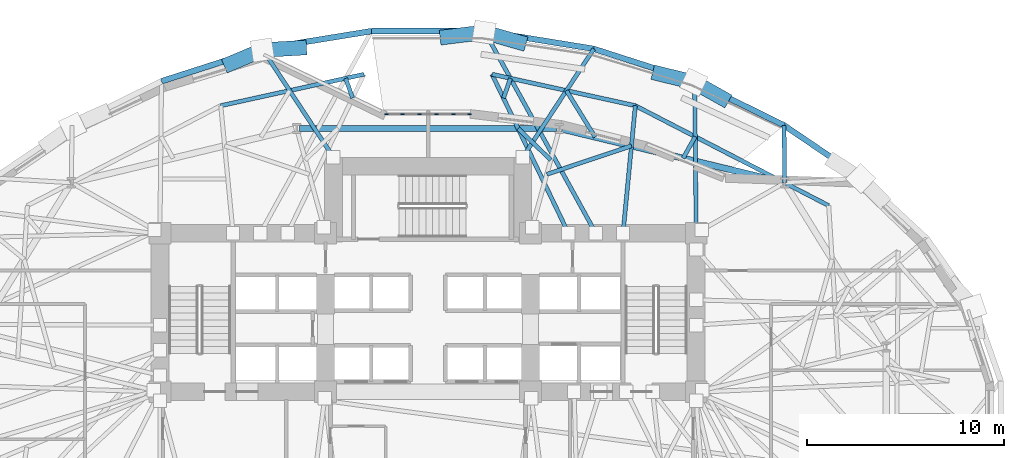
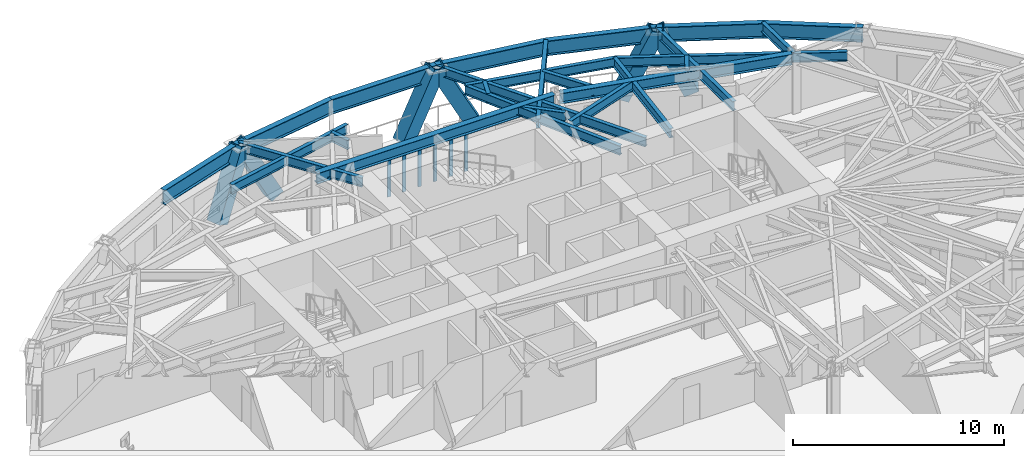
# One storey, part 5 of 15: 25 beams, 12 members, 1 element without a shape of its own.
"""IFC4 building model written with IfcOpenShell, lengths in metres."""

from ifc_helpers import new_model, si_unit, direction, frame, origin, origin_2d, place, context, subcontext, project, spatial, rectangle, hollow_rectangle, i_section, extrude, material, layer, layer_set, material_profile, profile_set, type_object, element, aggregate, save


model = new_model("IFC4")

# Units and contexts
model_context = context("Model", 3, precision=1e-05, world=origin(), true_north=direction((0.0, 1.0)))
body_context = subcontext(model_context, "Body", "Model", "MODEL_VIEW")
ifc_project = project(units=[si_unit("LENGTHUNIT", "METRE"), si_unit("AREAUNIT", "SQUARE_METRE"), si_unit("VOLUMEUNIT", "CUBIC_METRE"), si_unit("PLANEANGLEUNIT", "RADIAN"), si_unit("MASSUNIT", "GRAM", prefix="KILO")], contexts=[model_context])

# Site, building, storey
site_placement = place(None, origin())
site = spatial("IfcSite", under=ifc_project, at=site_placement, CompositionType="ELEMENT")
building_placement = place(site_placement, origin())
building = spatial("IfcBuilding", under=site, at=building_placement, Name="Keldmark Tower", CompositionType="ELEMENT")
storey_placement = place(building_placement, frame((0.0, 0.0, 55.800048828125)))
storey = spatial("IfcBuildingStorey", under=building, at=storey_placement, Name="L14", CompositionType="ELEMENT", Elevation=55.800048828125)

# Curtain wall, members
ifc_material_1 = material(Name="Unitized Thermally Broken Aluminum and Triple Low-E Glazing", Category="aluminium")
ifc_layer = layer(ifc_material_1, 0.219970703125)
ifc_layer_set = layer_set([ifc_layer], Name="Unitized Thermally Broken Aluminum and Triple Low-E Glazing")
curtain_wall_type = type_object("IfcCurtainWallType", Name="Spiralling Sky-Garden Feature Curtain Wall System", PredefinedType="NOTDEFINED", material=ifc_layer_set)
curtain_wall_placement = place(storey_placement, origin())
curtain_wall = element("IfcCurtainWall", 1, at=curtain_wall_placement, inside=storey, type_object=curtain_wall_type, Name="L14 Spiralling Sky-Garden Feature Curtain Wall System CW-L14-08", PredefinedType="NOTDEFINED")
ifc_material_2 = material(Name="Extruded Aluminum Alloy 6063-T6", Category="aluminium")
ifc_material_profile_1 = material_profile(ifc_material_2, rectangle(XDim=0.06005859375, YDim=0.179931640625, at=origin_2d()), Name="CWM60X180")
ifc_profile_set_1 = profile_set([ifc_material_profile_1], Name="Extruded Aluminum Alloy 6063-T6")
member_type_1 = type_object("IfcMemberType", Name="Curtain Wall Structural Mullion 60x180", PredefinedType="MULLION", material=ifc_profile_set_1)
member_1_placement = place(storey_placement, frame((-2.111572265625, 15.484375, 0.0), z_axis=(0.0, 0.0, 1.0), x_axis=(0.0, 1.0, 0.0)))
member_1 = element("IfcMember", 2, at=member_1_placement, type_object=member_type_1, Name="CW mullion 1", PredefinedType="MULLION", context=body_context, shape_type="SweptSolid", body=[
    extrude(rectangle(XDim=0.06005859375, YDim=0.179931640625, at=origin_2d()), origin(), (0.0, 0.0, 1.0), 2.529052734375),
])
member_2_placement = place(storey_placement, frame((-1.284912109375, 15.484375, 0.0), z_axis=(0.0, 0.0, 1.0), x_axis=(0.0, 1.0, 0.0)))
member_2 = element("IfcMember", 3, at=member_2_placement, type_object=member_type_1, Name="CW mullion 2", PredefinedType="MULLION", context=body_context, shape_type="SweptSolid", body=[
    extrude(rectangle(XDim=0.06005859375, YDim=0.179931640625, at=origin_2d()), origin(), (0.0, 0.0, 1.0), 2.529052734375),
])
member_3_placement = place(storey_placement, frame((-0.42822265625, 15.484375, 0.0), z_axis=(0.0, 0.0, 1.0), x_axis=(0.0, 1.0, 0.0)))
member_3 = element("IfcMember", 4, at=member_3_placement, type_object=member_type_1, Name="CW mullion 3", PredefinedType="MULLION", context=body_context, shape_type="SweptSolid", body=[
    extrude(rectangle(XDim=0.06005859375, YDim=0.179931640625, at=origin_2d()), origin(), (0.0, 0.0, 1.0), 2.529052734375),
])
member_4_placement = place(storey_placement, frame((0.42822265625, 15.484375, 0.0), z_axis=(0.0, 0.0, 1.0), x_axis=(0.0, 1.0, 0.0)))
member_4 = element("IfcMember", 5, at=member_4_placement, type_object=member_type_1, Name="CW mullion 4", PredefinedType="MULLION", context=body_context, shape_type="SweptSolid", body=[
    extrude(rectangle(XDim=0.06005859375, YDim=0.179931640625, at=origin_2d()), origin(), (0.0, 0.0, 1.0), 2.529052734375),
])
member_5_placement = place(storey_placement, frame((1.284912109375, 15.484375, 0.0), z_axis=(0.0, 0.0, 1.0), x_axis=(0.0, 1.0, 0.0)))
member_5 = element("IfcMember", 6, at=member_5_placement, type_object=member_type_1, Name="CW mullion 5", PredefinedType="MULLION", context=body_context, shape_type="SweptSolid", body=[
    extrude(rectangle(XDim=0.06005859375, YDim=0.179931640625, at=origin_2d()), origin(), (0.0, 0.0, 1.0), 2.529052734375),
])
member_6_placement = place(storey_placement, frame((2.111572265625, 15.484375, 0.0), z_axis=(0.0, 0.0, 1.0), x_axis=(0.0, 1.0, 0.0)))
member_6 = element("IfcMember", 7, at=member_6_placement, type_object=member_type_1, Name="CW mullion 6", PredefinedType="MULLION", context=body_context, shape_type="SweptSolid", body=[
    extrude(rectangle(XDim=0.06005859375, YDim=0.179931640625, at=origin_2d()), origin(), (0.0, 0.0, 1.0), 2.529052734375),
])
aggregate(curtain_wall, [member_1, member_2, member_3, member_4, member_5, member_6])

# Members
ifc_material_3 = material(Name="Steel ASTM A572 Grade 50", Category="steel")
ifc_material_profile_2 = material_profile(ifc_material_3, hollow_rectangle(XDim=0.75, YDim=0.75, WallThickness=0.06494140625, at=origin_2d()), Name="BOX750X750X65")
ifc_profile_set_2 = profile_set([ifc_material_profile_2], Name="Steel ASTM A572 Grade 50")
member_type_2 = type_object("IfcMemberType", Name="Diagrid Lower Brace BOX750X750X65", PredefinedType="BRACE", material=ifc_profile_set_2)
member_7_placement = place(storey_placement, frame((14.942138671875, 16.29541015625, -0.280029296875), z_axis=(-0.370214781485, 0.206813491419, 0.905631931491), x_axis=(-0.487693337516, -0.873015010491, 0.0)))
element("IfcMember", 8, at=member_7_placement, inside=storey, type_object=member_type_2, Name="L14 Perimeter Diagrid Brace 03A", PredefinedType="BRACE", context=body_context, shape_type="SweptSolid", body=[
    extrude(hollow_rectangle(XDim=0.75, YDim=0.75, WallThickness=0.06494140625, at=origin_2d()), origin(), (0.0, 0.0, 1.0), 3.930908203125),
])
member_8_placement = place(storey_placement, frame((11.72216796875, 17.535400390625, -0.280029296875), z_axis=(0.443457115847, -0.108362663421, 0.889720922301), x_axis=(0.237374614555, 0.971418186141, 0.0)))
element("IfcMember", 9, at=member_8_placement, inside=storey, type_object=member_type_2, Name="L14 Perimeter Diagrid Brace 03B", PredefinedType="BRACE", context=body_context, shape_type="SweptSolid", body=[
    extrude(hollow_rectangle(XDim=0.75, YDim=0.75, WallThickness=0.06494140625, at=origin_2d()), origin(), (0.0, 0.0, 1.0), 4.001220703125),
])
member_9_placement = place(storey_placement, frame((4.646728515625, 19.129150390625, -0.280029296875), z_axis=(-0.447965706139, 0.127678115107, 0.884887012588), x_axis=(-0.274101643259, -0.961700727442, 0.0)))
element("IfcMember", 10, at=member_9_placement, inside=storey, type_object=member_type_2, Name="L14 Perimeter Diagrid Brace 04A", PredefinedType="BRACE", context=body_context, shape_type="SweptSolid", body=[
    extrude(hollow_rectangle(XDim=0.75, YDim=0.75, WallThickness=0.06494140625, at=origin_2d()), origin(), (0.0, 0.0, 1.0), 4.023193359375),
])
member_10_placement = place(storey_placement, frame((0.936767578125, 19.4052734375, -0.280029296875), z_axis=(0.473775123484, 0.058031727794, 0.87873172865), x_axis=(-0.121579267567, 0.99258172545, 0.0)))
element("IfcMember", 11, at=member_10_placement, inside=storey, type_object=member_type_2, Name="L14 Perimeter Diagrid Brace 04B", PredefinedType="BRACE", context=body_context, shape_type="SweptSolid", body=[
    extrude(hollow_rectangle(XDim=0.75, YDim=0.75, WallThickness=0.06494140625, at=origin_2d()), origin(), (0.0, 0.0, 1.0), 4.05126953125),
])
member_11_placement = place(storey_placement, frame((-6.494384765625, 18.8486328125, -0.280029296875), z_axis=(-0.472761605962, -0.02712021989, 0.880772931919), x_axis=(0.057271372546, -0.998358647925, 0.0)))
element("IfcMember", 12, at=member_11_placement, inside=storey, type_object=member_type_2, Name="L14 Perimeter Diagrid Brace 05A", PredefinedType="BRACE", context=body_context, shape_type="SweptSolid", body=[
    extrude(hollow_rectangle(XDim=0.75, YDim=0.75, WallThickness=0.06494140625, at=origin_2d()), origin(), (0.0, 0.0, 1.0), 4.0419921875),
])
member_12_placement = place(storey_placement, frame((-10.026123046875, 18.052001953125, -0.280029296875), z_axis=(0.410480286858, 0.173315263207, 0.895247314233), x_axis=(-0.388974635717, 0.921248464188, 0.0)))
element("IfcMember", 13, at=member_12_placement, inside=storey, type_object=member_type_2, Name="L14 Perimeter Diagrid Brace 05B", PredefinedType="BRACE", context=body_context, shape_type="SweptSolid", body=[
    extrude(hollow_rectangle(XDim=0.75, YDim=0.75, WallThickness=0.06494140625, at=origin_2d()), origin(), (0.0, 0.0, 1.0), 3.9765625),
])

# Beams
ifc_material_4 = material(Name="Steel ASTM A992 Grade 50", Category="steel")
ifc_material_profile_3 = material_profile(ifc_material_4, i_section(OverallWidth=0.323974609375, OverallDepth=0.611083984375, WebThickness=0.0126953125, FlangeThickness=0.01904296875, at=origin_2d()), Name="W24X104")
ifc_profile_set_3 = profile_set([ifc_material_profile_3], Name="Steel ASTM A992 Grade 50")
beam_type_1 = type_object("IfcBeamType", Name="Primary Floor Girder W24X104", PredefinedType="BEAM", material=ifc_profile_set_3)
beam_1_placement = place(storey_placement, frame((17.961669921875, 12.040283203125, 3.094482421875), z_axis=(-0.972218707757, 0.2340743136, 0.0), x_axis=(-0.2340743136, -0.972218707757, 0.0)))
element("IfcBeam", 14, at=beam_1_placement, inside=storey, type_object=beam_type_1, Name="L14 Floor Ring Girder FG-R02", PredefinedType="BEAM", context=body_context, shape_type="SweptSolid", body=[
    extrude(i_section(OverallWidth=0.323974609375, OverallDepth=0.611083984375, WebThickness=0.0126953125, FlangeThickness=0.01904296875, at=origin_2d()), origin(), (0.0, 0.0, 1.0), 11.479248046875),
])
beam_2_placement = place(storey_placement, frame((6.525146484375, 14.760009765625, 3.094482421875), z_axis=(-1.0, 0.0, 0.0), x_axis=(0.0, -1.0, 0.0)))
element("IfcBeam", 15, at=beam_2_placement, inside=storey, type_object=beam_type_1, Name="L14 Floor Ring Girder FG-R03", PredefinedType="BEAM", context=body_context, shape_type="SweptSolid", body=[
    extrude(i_section(OverallWidth=0.323974609375, OverallDepth=0.611083984375, WebThickness=0.0126953125, FlangeThickness=0.01904296875, at=origin_2d()), origin(), (0.0, 0.0, 1.0), 13.05029296875),
])
ifc_material_5 = material(Name="Steel ASTM A992 Grade 50", Category="steel")
ifc_material_profile_4 = material_profile(ifc_material_5, i_section(OverallWidth=0.2099609375, OverallDepth=0.537109375, WebThickness=0.010986328125, FlangeThickness=0.017333984375, at=origin_2d()), Name="W21X68")
ifc_profile_set_4 = profile_set([ifc_material_profile_4], Name="Steel ASTM A992 Grade 50")
beam_type_2 = type_object("IfcBeamType", Name="Radial Tie Girder W21X68", PredefinedType="BEAM", material=ifc_profile_set_4)
beam_3_placement = place(storey_placement, frame((6.023681640625, 12.43505859375, 3.13134765625), z_axis=(0.94783425049, 0.318763601432, 0.0), x_axis=(-0.318763601432, 0.94783425049, 0.0)))
element("IfcBeam", 16, at=beam_3_placement, inside=storey, type_object=beam_type_2, Name="L14 Framing Pin Header PH-002", PredefinedType="BEAM", context=body_context, shape_type="SweptSolid", body=[
    extrude(i_section(OverallWidth=0.2099609375, OverallDepth=0.537109375, WebThickness=0.010986328125, FlangeThickness=0.017333984375, at=origin_2d()), origin(), (0.0, 0.0, 1.0), 4.532470703125),
])
beam_4_placement = place(storey_placement, frame((9.892822265625, 9.449951171875, 3.13134765625), z_axis=(0.095949442733, 0.995386208685, 0.0), x_axis=(-0.995386208685, 0.095949442733, 0.0)))
element("IfcBeam", 17, at=beam_4_placement, inside=storey, type_object=beam_type_2, Name="L14 Sub-Ring Step Girder STP1-M02", PredefinedType="BEAM", context=body_context, shape_type="SweptSolid", body=[
    extrude(i_section(OverallWidth=0.2099609375, OverallDepth=0.537109375, WebThickness=0.010986328125, FlangeThickness=0.017333984375, at=origin_2d()), origin(), (0.0, 0.0, 1.0), 6.49609375),
])
beam_5_placement = place(storey_placement, frame((6.22509765625, 13.1650390625, 3.13134765625), z_axis=(-0.720561753451, 0.69339076967, 0.0), x_axis=(-0.69339076967, -0.720561753451, 0.0)))
element("IfcBeam", 18, at=beam_5_placement, inside=storey, type_object=beam_type_2, Name="L14 Framing Pin Header PH-003", PredefinedType="BEAM", context=body_context, shape_type="SweptSolid", body=[
    extrude(i_section(OverallWidth=0.2099609375, OverallDepth=0.537109375, WebThickness=0.010986328125, FlangeThickness=0.017333984375, at=origin_2d()), origin(), (0.0, 0.0, 1.0), 2.30029296875),
])
beam_6_placement = place(storey_placement, frame((7.121337890625, 9.449951171875, 3.13134765625), z_axis=(-0.43338141328, 0.901210602813, 0.0), x_axis=(-0.901210602813, -0.43338141328, 0.0)))
element("IfcBeam", 19, at=beam_6_placement, inside=storey, type_object=beam_type_2, Name="L14 Sub-Ring Step Girder STP1-M03", PredefinedType="BEAM", context=body_context, shape_type="SweptSolid", body=[
    extrude(i_section(OverallWidth=0.2099609375, OverallDepth=0.537109375, WebThickness=0.010986328125, FlangeThickness=0.017333984375, at=origin_2d()), origin(), (0.0, 0.0, 1.0), 8.944091796875),
])
beam_7_placement = place(storey_placement, frame((20.32568359375, 10.84619140625, 3.13134765625), z_axis=(-0.888368795713, 0.459130572717, 0.0), x_axis=(-0.459130572717, -0.888368795713, 0.0)))
element("IfcBeam", 20, at=beam_7_placement, inside=storey, type_object=beam_type_2, Name="L14 Perimeter Collector Ring Beam CRG1-M01", PredefinedType="BEAM", context=body_context, shape_type="SweptSolid", body=[
    extrude(i_section(OverallWidth=0.2099609375, OverallDepth=0.537109375, WebThickness=0.010986328125, FlangeThickness=0.017333984375, at=origin_2d()), origin(), (0.0, 0.0, 1.0), 11.042236328125),
])
for number, where, z_axis, x_axis, name in (
    (21, (10.51611328125, 15.916015625, 3.13134765625), (-0.976789051494, 0.214203522104, 0.0), (-0.214203522104, -0.976789051494, 0.0), "L14 Perimeter Collector Ring Beam CRG1-M02"),
    (22, (-3.2451171875, 17.510498046875, 3.13134765625), (-0.976789051494, -0.214203522104, 0.0), (0.214203522104, -0.976789051494, 0.0), "L14 Perimeter Collector Ring Beam CRG1-M04"),
):
    element("IfcBeam", number, at=place(storey_placement, frame(where, z_axis=z_axis, x_axis=x_axis)), inside=storey, type_object=beam_type_2, Name=name, PredefinedType="BEAM", context=body_context, shape_type="SweptSolid", body=[
        extrude(i_section(OverallWidth=0.2099609375, OverallDepth=0.537109375, WebThickness=0.010986328125, FlangeThickness=0.017333984375, at=origin_2d()), origin(), (0.0, 0.0, 1.0), 7.44384765625),
    ])
beam_8_placement = place(storey_placement, frame((18.09765625, 12.00732421875, 3.13134765625), z_axis=(-0.012909722214, 0.999916666064, 0.0), x_axis=(-0.999916666064, -0.012909722214, 0.0)))
element("IfcBeam", 23, at=beam_8_placement, inside=storey, type_object=beam_type_2, Name="L14 Perimeter Column Bracket RT-05", PredefinedType="BEAM", context=body_context, shape_type="SweptSolid", body=[
    extrude(i_section(OverallWidth=0.2099609375, OverallDepth=0.537109375, WebThickness=0.010986328125, FlangeThickness=0.017333984375, at=origin_2d()), origin(), (0.0, 0.0, 1.0), 2.912353515625),
])
beam_9_placement = place(storey_placement, frame((12.939453125, 13.249267578125, 3.13134765625), z_axis=(0.488822163105, 0.872383455172, 0.0), x_axis=(-0.872383455172, 0.488822163105, 0.0)))
element("IfcBeam", 24, at=beam_9_placement, inside=storey, type_object=beam_type_2, Name="L14 Framing Pin Header PH-015", PredefinedType="BEAM", context=body_context, shape_type="SweptSolid", body=[
    extrude(i_section(OverallWidth=0.2099609375, OverallDepth=0.537109375, WebThickness=0.010986328125, FlangeThickness=0.017333984375, at=origin_2d()), origin(), (0.0, 0.0, 1.0), 1.257080078125),
])
beam_10_placement = place(storey_placement, frame((13.60009765625, 9.89990234375, 3.13134765625), z_axis=(-0.010364229953, 0.999946289926, 0.0), x_axis=(-0.999946289926, -0.010364229953, 0.0)))
element("IfcBeam", 25, at=beam_10_placement, inside=storey, type_object=beam_type_2, Name="L14 Perimeter Radial Tie Girder RT-06", PredefinedType="BEAM", context=body_context, shape_type="SweptSolid", body=[
    extrude(i_section(OverallWidth=0.2099609375, OverallDepth=0.537109375, WebThickness=0.010986328125, FlangeThickness=0.017333984375, at=origin_2d()), origin(), (0.0, 0.0, 1.0), 7.25537109375),
])
beam_11_placement = place(storey_placement, frame((8.475341796875, 14.32421875, 3.13134765625), z_axis=(-0.524800377393, 0.851225330854, 0.0), x_axis=(-0.851225330854, -0.524800377393, 0.0)))
element("IfcBeam", 26, at=beam_11_placement, inside=storey, type_object=beam_type_2, Name="L14 Framing Pin Header PH-016", PredefinedType="BEAM", context=body_context, shape_type="SweptSolid", body=[
    extrude(i_section(OverallWidth=0.2099609375, OverallDepth=0.537109375, WebThickness=0.010986328125, FlangeThickness=0.017333984375, at=origin_2d()), origin(), (0.0, 0.0, 1.0), 2.770263671875),
])
beam_12_placement = place(storey_placement, frame((4.800048828125, 13.300048828125, 3.13134765625), z_axis=(0.548940141585, 0.835861663768, 0.0), x_axis=(-0.835861663768, 0.548940141585, 0.0)))
element("IfcBeam", 27, at=beam_12_placement, inside=storey, type_object=beam_type_2, Name="L14 Perimeter Radial Tie Girder RT-07", PredefinedType="BEAM", context=body_context, shape_type="SweptSolid", body=[
    extrude(i_section(OverallWidth=0.2099609375, OverallDepth=0.537109375, WebThickness=0.010986328125, FlangeThickness=0.017333984375, at=origin_2d()), origin(), (0.0, 0.0, 1.0), 6.578369140625),
])
beam_13_placement = place(storey_placement, frame((3.826416015625, 16.30126953125, 3.13134765625), z_axis=(0.332964052546, 0.942939520708, 0.0), x_axis=(-0.942939520708, 0.332964052546, 0.0)))
element("IfcBeam", 28, at=beam_13_placement, inside=storey, type_object=beam_type_2, Name="L14 Framing Pin Header PH-017", PredefinedType="BEAM", context=body_context, shape_type="SweptSolid", body=[
    extrude(i_section(OverallWidth=0.2099609375, OverallDepth=0.537109375, WebThickness=0.010986328125, FlangeThickness=0.017333984375, at=origin_2d()), origin(), (0.0, 0.0, 1.0), 1.064697265625),
])
beam_14_placement = place(storey_placement, frame((8.507080078125, 9.449951171875, 3.13134765625), z_axis=(-0.482403219224, 0.875949275976, 0.0), x_axis=(-0.875949275976, -0.482403219224, 0.0)))
element("IfcBeam", 29, at=beam_14_placement, inside=storey, type_object=beam_type_2, Name="L14 Perimeter Radial Tie Girder RT-08", PredefinedType="BEAM", context=body_context, shape_type="SweptSolid", body=[
    extrude(i_section(OverallWidth=0.2099609375, OverallDepth=0.537109375, WebThickness=0.010986328125, FlangeThickness=0.017333984375, at=origin_2d()), origin(), (0.0, 0.0, 1.0), 11.701904296875),
])
beam_15_placement = place(storey_placement, frame((-3.826416015625, 16.30126953125, 3.13134765625), z_axis=(-0.332964052546, 0.942939520708, 0.0), x_axis=(-0.942939520708, -0.332964052546, 0.0)))
element("IfcBeam", 30, at=beam_15_placement, inside=storey, type_object=beam_type_2, Name="L14 Framing Pin Header PH-018", PredefinedType="BEAM", context=body_context, shape_type="SweptSolid", body=[
    extrude(i_section(OverallWidth=0.2099609375, OverallDepth=0.537109375, WebThickness=0.010986328125, FlangeThickness=0.017333984375, at=origin_2d()), origin(), (0.0, 0.0, 1.0), 1.064697265625),
])
beam_16_placement = place(storey_placement, frame((-4.800048828125, 13.300048828125, 3.13134765625), z_axis=(-0.548940141585, 0.835861663768, 0.0), x_axis=(-0.835861663768, -0.548940141585, 0.0)))
element("IfcBeam", 31, at=beam_16_placement, inside=storey, type_object=beam_type_2, Name="L14 Perimeter Radial Tie Girder RT-10", PredefinedType="BEAM", context=body_context, shape_type="SweptSolid", body=[
    extrude(i_section(OverallWidth=0.2099609375, OverallDepth=0.537109375, WebThickness=0.010986328125, FlangeThickness=0.017333984375, at=origin_2d()), origin(), (0.0, 0.0, 1.0), 6.578369140625),
])
ifc_material_6 = material(Name="Steel ASTM A992 Grade 50", Category="steel")
ifc_material_profile_5 = material_profile(ifc_material_6, i_section(OverallWidth=0.2919921875, OverallDepth=0.85888671875, WebThickness=0.01708984375, FlangeThickness=0.031005859375, at=origin_2d()), Name="W33X169")
ifc_profile_set_5 = profile_set([ifc_material_profile_5], Name="Steel ASTM A992 Grade 50")
beam_type_3 = type_object("IfcBeamType", Name="Spandrel Ring Beam W33X169", PredefinedType="SPANDREL", material=ifc_profile_set_5)
beam_17_placement = place(storey_placement, frame((22.00634765625, 12.244140625, 2.970458984375), z_axis=(-0.827723816917, 0.561135708103, 0.0), x_axis=(-0.561135708103, -0.827723816917, 0.0)))
element("IfcBeam", 32, at=beam_17_placement, inside=storey, type_object=beam_type_3, Name="L14 Perimeter Spandrel Ring Beam SRB-04", PredefinedType="SPANDREL", context=body_context, shape_type="SweptSolid", body=[
    extrude(i_section(OverallWidth=0.2919921875, OverallDepth=0.85888671875, WebThickness=0.01708984375, FlangeThickness=0.031005859375, at=origin_2d()), origin(), (0.0, 0.0, 1.0), 4.767578125),
])
beam_18_placement = place(storey_placement, frame((18.06005859375, 14.91943359375, 2.970458984375), z_axis=(-0.896962161347, 0.442107318545, 0.0), x_axis=(-0.442107318545, -0.896962161347, 0.0)))
element("IfcBeam", 33, at=beam_18_placement, inside=storey, type_object=beam_type_3, Name="L14 Perimeter Spandrel Ring Beam SRB-05", PredefinedType="SPANDREL", context=body_context, shape_type="SweptSolid", body=[
    extrude(i_section(OverallWidth=0.2919921875, OverallDepth=0.85888671875, WebThickness=0.01708984375, FlangeThickness=0.031005859375, at=origin_2d()), origin(), (0.0, 0.0, 1.0), 5.05615234375),
])
beam_19_placement = place(storey_placement, frame((13.52490234375, 17.15478515625, 2.970458984375), z_axis=(-0.95202383213, 0.30602389295, 0.0), x_axis=(-0.30602389295, -0.95202383213, 0.0)))
element("IfcBeam", 34, at=beam_19_placement, inside=storey, type_object=beam_type_3, Name="L14 Perimeter Spandrel Ring Beam SRB-06", PredefinedType="SPANDREL", context=body_context, shape_type="SweptSolid", body=[
    extrude(i_section(OverallWidth=0.2919921875, OverallDepth=0.85888671875, WebThickness=0.01708984375, FlangeThickness=0.031005859375, at=origin_2d()), origin(), (0.0, 0.0, 1.0), 5.37158203125),
])
beam_20_placement = place(storey_placement, frame((8.4111328125, 18.798583984375, 2.970458984375), z_axis=(-0.987055914284, 0.16037650101, 0.0), x_axis=(-0.16037650101, -0.987055914284, 0.0)))
element("IfcBeam", 35, at=beam_20_placement, inside=storey, type_object=beam_type_3, Name="L14 Perimeter Spandrel Ring Beam SRB-07", PredefinedType="SPANDREL", context=body_context, shape_type="SweptSolid", body=[
    extrude(i_section(OverallWidth=0.2919921875, OverallDepth=0.85888671875, WebThickness=0.01708984375, FlangeThickness=0.031005859375, at=origin_2d()), origin(), (0.0, 0.0, 1.0), 5.621826171875),
])
beam_21_placement = place(storey_placement, frame((2.862060546875, 19.7001953125, 2.970458984375), z_axis=(-1.0, 0.0, 0.0), x_axis=(0.0, -1.0, 0.0)))
element("IfcBeam", 36, at=beam_21_placement, inside=storey, type_object=beam_type_3, Name="L14 Perimeter Spandrel Ring Beam SRB-08", PredefinedType="SPANDREL", context=body_context, shape_type="SweptSolid", body=[
    extrude(i_section(OverallWidth=0.2919921875, OverallDepth=0.85888671875, WebThickness=0.01708984375, FlangeThickness=0.031005859375, at=origin_2d()), origin(), (0.0, 0.0, 1.0), 5.72412109375),
])
beam_22_placement = place(storey_placement, frame((-2.862060546875, 19.7001953125, 2.970458984375), z_axis=(-0.987055914284, -0.16037650101, 0.0), x_axis=(0.16037650101, -0.987055914284, 0.0)))
element("IfcBeam", 37, at=beam_22_placement, inside=storey, type_object=beam_type_3, Name="L14 Perimeter Spandrel Ring Beam SRB-09", PredefinedType="SPANDREL", context=body_context, shape_type="SweptSolid", body=[
    extrude(i_section(OverallWidth=0.2919921875, OverallDepth=0.85888671875, WebThickness=0.01708984375, FlangeThickness=0.031005859375, at=origin_2d()), origin(), (0.0, 0.0, 1.0), 5.621826171875),
])
beam_23_placement = place(storey_placement, frame((-8.4111328125, 18.798583984375, 2.970458984375), z_axis=(-0.95202383213, -0.30602389295, 0.0), x_axis=(0.30602389295, -0.95202383213, 0.0)))
element("IfcBeam", 38, at=beam_23_placement, inside=storey, type_object=beam_type_3, Name="L14 Perimeter Spandrel Ring Beam SRB-10", PredefinedType="SPANDREL", context=body_context, shape_type="SweptSolid", body=[
    extrude(i_section(OverallWidth=0.2919921875, OverallDepth=0.85888671875, WebThickness=0.01708984375, FlangeThickness=0.031005859375, at=origin_2d()), origin(), (0.0, 0.0, 1.0), 5.37158203125),
])

save(model, "model.ifc")
